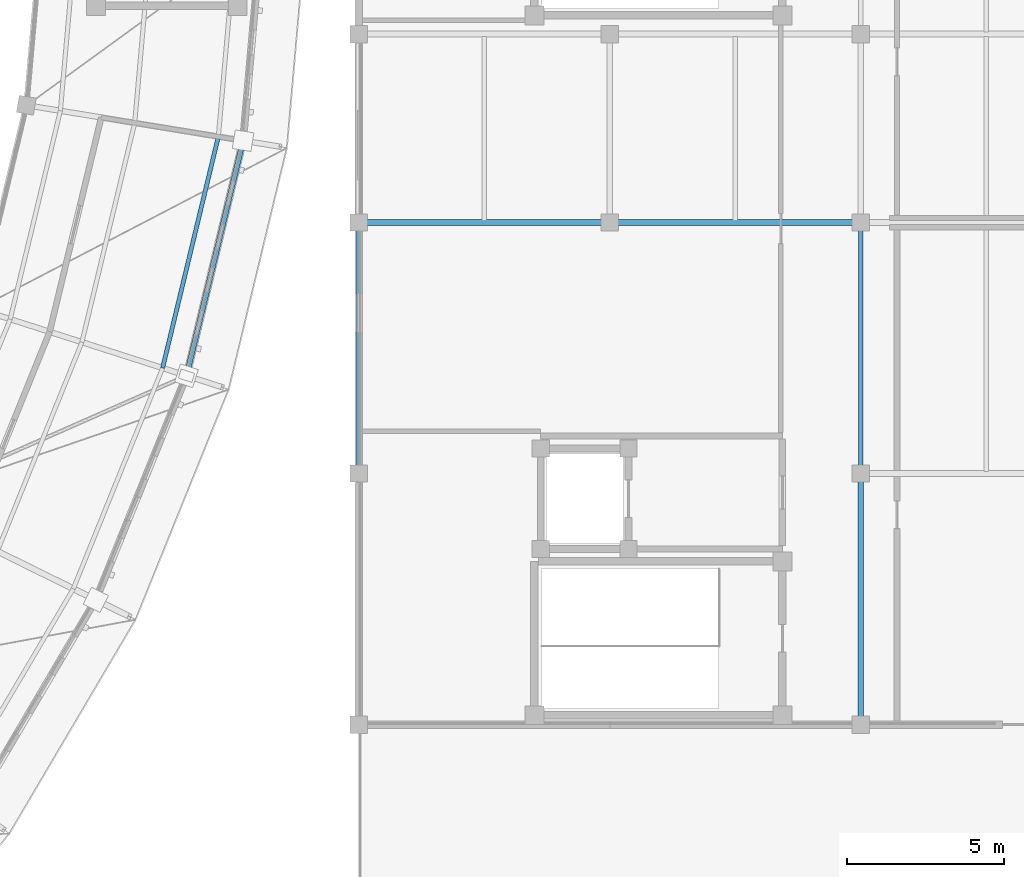
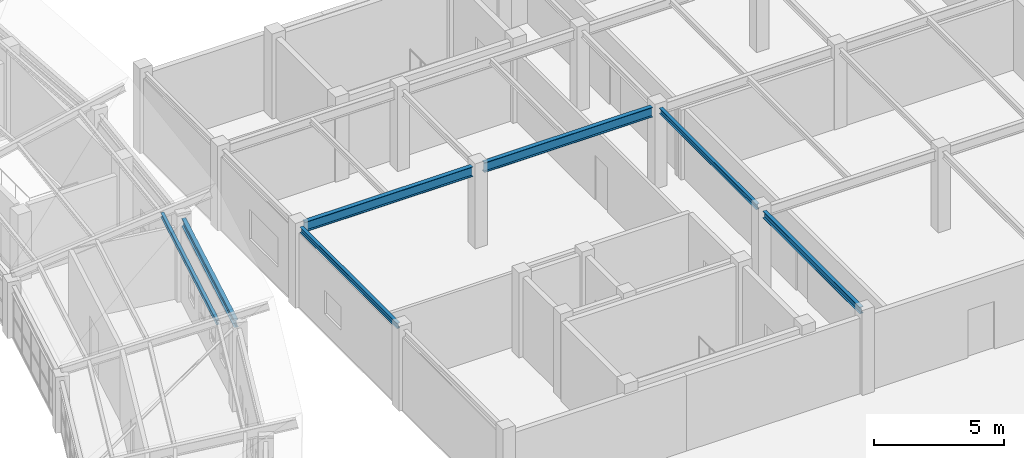
# One storey, part 91 of 149: 6 beams, 1 member.
"""IFC4 building model written with IfcOpenShell, lengths in metres."""

from ifc_helpers import new_model, si_unit, direction, frame, origin, origin_2d, place, context, subcontext, project, spatial, i_section, extrude, material, material_profile, profile_set, type_object, element, save


model = new_model("IFC4")

# Units and contexts
model_context = context("Model", 3, precision=1e-05, world=origin(), true_north=direction((0.0, 1.0)))
body_context = subcontext(model_context, "Body", "Model", "MODEL_VIEW")
ifc_project = project(units=[si_unit("LENGTHUNIT", "METRE"), si_unit("AREAUNIT", "SQUARE_METRE"), si_unit("VOLUMEUNIT", "CUBIC_METRE"), si_unit("PLANEANGLEUNIT", "RADIAN"), si_unit("MASSUNIT", "GRAM", prefix="KILO")], contexts=[model_context])

# Site, building, storey
site_placement = place(None, origin())
site = spatial("IfcSite", under=ifc_project, at=site_placement, CompositionType="ELEMENT")
building_placement = place(site_placement, origin())
building = spatial("IfcBuilding", under=site, at=building_placement, Name="Celadon Cloister-Ring School", CompositionType="ELEMENT")
storey_placement = place(building_placement, frame((0.0, 0.0, 12.5)))
storey = spatial("IfcBuildingStorey", under=building, at=storey_placement, Name="L03", CompositionType="ELEMENT", Elevation=12.5)

# Beams
ifc_material_1 = material(Name="Structural steel S355JR", Category="steel")
ifc_material_profile_1 = material_profile(ifc_material_1, i_section(OverallWidth=0.1650390625, OverallDepth=0.31005859375, WebThickness=0.005859375, FlangeThickness=0.009765625, at=origin_2d()), Name="W310X39")
ifc_profile_set_1 = profile_set([ifc_material_profile_1], Name="Structural steel S355JR")
beam_type_1 = type_object("IfcBeamType", Name="BT-09", PredefinedType="BEAM", material=ifc_profile_set_1)
beam_1_placement = place(storey_placement, frame((158.0, 32.25, 3.60498046875), z_axis=(0.0, 1.0, 0.0), x_axis=(-1.0, 0.0, 0.0)))
element("IfcBeam", 1, at=beam_1_placement, inside=storey, type_object=beam_type_1, Name="Beam 1457", PredefinedType="BEAM", context=body_context, shape_type="SweptSolid", body=[
    extrude(i_section(OverallWidth=0.1650390625, OverallDepth=0.31005859375, WebThickness=0.005859375, FlangeThickness=0.009765625, at=origin_2d()), origin(), (0.0, 0.0, 1.0), 7.5),
])
ifc_material_2 = material(Name="Structural steel S355JR", Category="steel")
ifc_material_profile_2 = material_profile(ifc_material_2, i_section(OverallWidth=0.14599609375, OverallDepth=0.258056640625, WebThickness=0.006103515625, FlangeThickness=0.009033203125, at=origin_2d()), Name="W250X33")
ifc_profile_set_2 = profile_set([ifc_material_profile_2], Name="Structural steel S355JR")
beam_type_2 = type_object("IfcBeamType", Name="BT-10", PredefinedType="BEAM", material=ifc_profile_set_2)
for number, where, z_axis, x_axis, name in (
    (2, (142.0, 40.25, 3.631103515625), (0.0, 1.0, 0.0), (-1.0, 0.0, 0.0), "Beam 1453"),
    (3, (158.0, 40.25, 3.631103515625), (0.0, 1.0, 0.0), (-1.0, 0.0, 0.0), "Beam 1458"),
):
    element("IfcBeam", number, at=place(storey_placement, frame(where, z_axis=z_axis, x_axis=x_axis)), inside=storey, type_object=beam_type_2, Name=name, PredefinedType="BEAM", context=body_context, shape_type="SweptSolid", body=[
        extrude(i_section(OverallWidth=0.14599609375, OverallDepth=0.258056640625, WebThickness=0.006103515625, FlangeThickness=0.009033203125, at=origin_2d()), origin(), (0.0, 0.0, 1.0), 7.5),
    ])
ifc_material_3 = material(Name="Structural steel S355JR", Category="steel")
ifc_material_profile_3 = material_profile(ifc_material_3, i_section(OverallWidth=0.19189453125, OverallDepth=0.462890625, WebThickness=0.010498046875, FlangeThickness=0.017578125, at=origin_2d()), Name="W460X89")
ifc_profile_set_3 = profile_set([ifc_material_profile_3], Name="Structural steel S355JR")
beam_type_3 = type_object("IfcBeamType", Name="GT-07", PredefinedType="USERDEFINED", material=ifc_profile_set_3)
for number, where, z_axis, x_axis, name in (
    (4, (142.25, 48.0, 3.529052734375), (1.0, 0.0, 0.0), (0.0, 1.0, 0.0), "Beam 1442"),
    (5, (150.25, 48.0, 3.529052734375), (1.0, 0.0, 0.0), (0.0, 1.0, 0.0), "Beam 1443"),
):
    element("IfcBeam", number, at=place(storey_placement, frame(where, z_axis=z_axis, x_axis=x_axis)), inside=storey, type_object=beam_type_3, Name=name, ObjectType="GIRDER", PredefinedType="USERDEFINED", context=body_context, shape_type="SweptSolid", body=[
        extrude(i_section(OverallWidth=0.19189453125, OverallDepth=0.462890625, WebThickness=0.010498046875, FlangeThickness=0.017578125, at=origin_2d()), origin(), (0.0, 0.0, 1.0), 7.5),
    ])

# Member
ifc_material_4 = material(Name="Structural steel S355JR", Category="steel")
ifc_material_profile_4 = material_profile(ifc_material_4, i_section(OverallWidth=0.133056640625, OverallDepth=0.20703125, WebThickness=0.005859375, FlangeThickness=0.00830078125, at=origin_2d()), Name="W200X27")
ifc_profile_set_4 = profile_set([ifc_material_profile_4], Name="Structural steel S355JR")
member_type = type_object("IfcMemberType", Name="MP-04", PredefinedType="PURLIN", material=ifc_profile_set_4)
member_placement = place(storey_placement, frame((135.7529296875, 43.362060546875, 4.073974609375), z_axis=(0.234165393179, 0.972196774649, 0.0), x_axis=(-0.972196774649, 0.234165393179, 0.0)))
element("IfcMember", 6, at=member_placement, inside=storey, type_object=member_type, Name="Structural Member 0213", PredefinedType="PURLIN", context=body_context, shape_type="SweptSolid", body=[
    extrude(i_section(OverallWidth=0.133056640625, OverallDepth=0.20703125, WebThickness=0.005859375, FlangeThickness=0.00830078125, at=origin_2d()), origin(), (0.0, 0.0, 1.0), 7.5849609375),
])

# Beam
ifc_material_5 = material(Name="Structural steel S355JR", Category="steel")
ifc_material_profile_5 = material_profile(ifc_material_5, i_section(OverallWidth=0.1708984375, OverallDepth=0.35498046875, WebThickness=0.007080078125, FlangeThickness=0.01171875, at=origin_2d()), Name="W360X51")
ifc_profile_set_5 = profile_set([ifc_material_profile_5], Name="Structural steel S355JR")
beam_type_4 = type_object("IfcBeamType", Name="SP-04", PredefinedType="SPANDREL", material=ifc_profile_set_5)
beam_2_placement = place(storey_placement, frame((136.5791015625, 43.385009765625, 3.722900390625), z_axis=(0.234111184794, 0.972209829797, 0.0), x_axis=(-0.972209829797, 0.234111184794, 0.0)))
element("IfcBeam", 7, at=beam_2_placement, inside=storey, type_object=beam_type_4, Name="Beam 0573", PredefinedType="SPANDREL", context=body_context, shape_type="SweptSolid", body=[
    extrude(i_section(OverallWidth=0.1708984375, OverallDepth=0.35498046875, WebThickness=0.007080078125, FlangeThickness=0.01171875, at=origin_2d()), origin(), (0.0, 0.0, 1.0), 7.15380859375),
])

save(model, "model.ifc")
